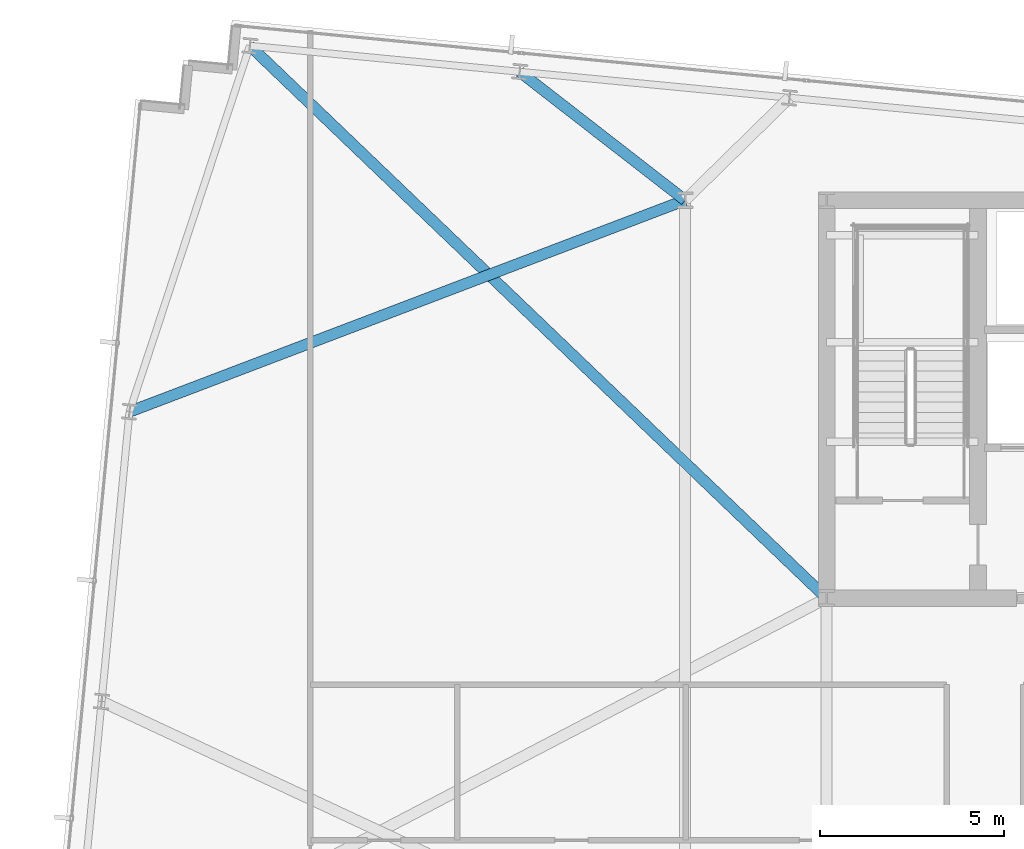
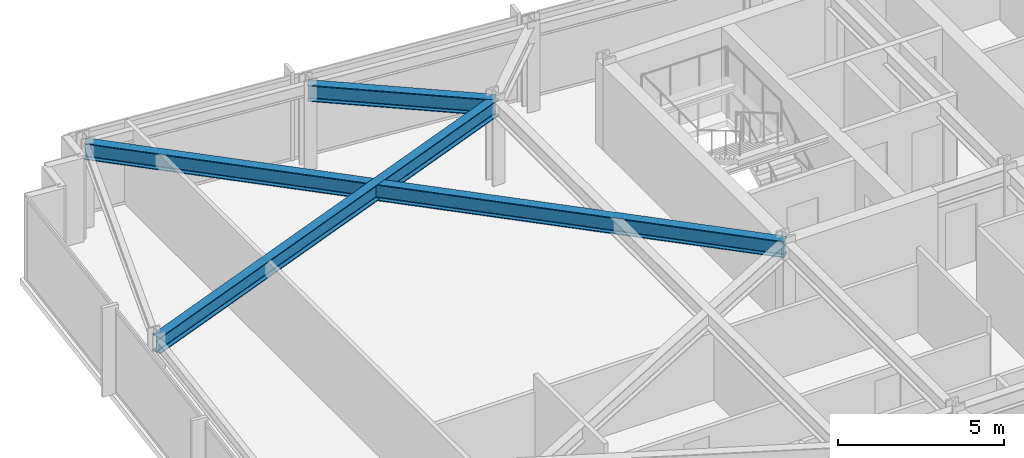
# One storey, part 22 of 37: 3 beams.
"""IFC4 building model written with IfcOpenShell, lengths in metres."""

import ifcopenshell
import ifcopenshell.guid

model = None  # the IFC model being written
_history = None  # IfcOwnerHistory: only IFC2X3 demands one
_inside = {}  # id of a spatial element -> (the spatial element, [elements in it])
_under = {}  # id of a project, library or spatial element -> (it, [spatial elements below it])
_declared = {}  # id of a project -> (the project, [libraries it declares])
_typed = {}  # id of a type object -> (the type object, [elements of that type])
_made_of = {}  # id of a material, layer set ... -> (it, [elements and type objects made of it])


def new_model(schema):
    """Start an empty IFC model of exactly this schema.

    Asked for "IFC4X3", IfcOpenShell would pick the latest addendum, in which some entities
    have other attributes; the version numbers below select the first issue.
    IFC2X3 requires an IfcOwnerHistory on every rooted entity: one is made here for all.
    """
    global model, _history
    if schema == "IFC4X3":
        model = ifcopenshell.file(schema_version=(4, 3, 0, 0))
    else:
        model = ifcopenshell.file(schema=schema)
    _inside.clear()
    _under.clear()
    _declared.clear()
    _typed.clear()
    _made_of.clear()
    _history = None
    if model.schema == "IFC2X3":
        org = make("IfcOrganization", Name="unknown")
        user = make(
            "IfcPersonAndOrganization",
            ThePerson=make("IfcPerson", FamilyName="unknown"),
            TheOrganization=org,
        )
        app = make(
            "IfcApplication",
            ApplicationDeveloper=org,
            Version="unknown",
            ApplicationFullName="unknown",
            ApplicationIdentifier="unknown",
        )
        _history = make(
            "IfcOwnerHistory",
            OwningUser=user,
            OwningApplication=app,
            ChangeAction="ADDED",
            CreationDate=0,
        )
    return model


def make(cls, **values):
    """One entity of the class cls with the attributes given. An attribute that is None is left unset."""
    return model.create_entity(
        cls, **{name: value for name, value in values.items() if value is not None}
    )


def rooted(cls, **values):
    """An entity with a GlobalId (a new one), such as an element, a storey or a relation."""
    return make(cls, GlobalId=ifcopenshell.guid.new(), OwnerHistory=_history, **values)


def si_unit(unit_type, name, prefix=None):
    """IfcSIUnit, for example si_unit("LENGTHUNIT", "METRE", prefix="MILLI")."""
    return make("IfcSIUnit", UnitType=unit_type, Prefix=prefix, Name=name)


def assignment(units):
    """IfcUnitAssignment: the units of a project."""
    return None if units is None else make("IfcUnitAssignment", Units=units)


def point(xyz):
    """IfcCartesianPoint."""
    return None if xyz is None else make("IfcCartesianPoint", Coordinates=xyz)


def direction(xyz):
    """IfcDirection."""
    return None if xyz is None else make("IfcDirection", DirectionRatios=xyz)


def frame(location, z_axis=None, x_axis=None):
    """IfcAxis2Placement3D, a coordinate frame: its origin and axes. An axis left out is left unset."""
    return make(
        "IfcAxis2Placement3D",
        Location=point(location),
        Axis=direction(z_axis),
        RefDirection=direction(x_axis),
    )


def frame_2d(location, x_axis=None):
    """IfcAxis2Placement2D, a coordinate frame in the plane: its origin and x axis."""
    return make(
        "IfcAxis2Placement2D", Location=point(location), RefDirection=direction(x_axis)
    )


def origin():
    """The frame at (0, 0, 0) with its axes left unset."""
    return frame((0.0, 0.0, 0.0))


def origin_2d():
    """The frame at (0, 0) in the plane with its x axis left unset."""
    return frame_2d((0.0, 0.0))


def place(relative_to, where):
    """IfcLocalPlacement: puts the frame where relative to a parent placement (None: the world)."""
    return make(
        "IfcLocalPlacement", PlacementRelTo=relative_to, RelativePlacement=where
    )


def context(
    kind, dimensions, precision=None, world=None, true_north=None, identifier=None
):
    """IfcGeometricRepresentationContext, for example the 3D "Model" context."""
    return make(
        "IfcGeometricRepresentationContext",
        ContextIdentifier=identifier,
        ContextType=kind,
        CoordinateSpaceDimension=dimensions,
        Precision=precision,
        WorldCoordinateSystem=world,
        TrueNorth=true_north,
    )


def subcontext(parent, identifier, kind, view, scale=None):
    """IfcGeometricRepresentationSubContext, for example "Body" below "Model"."""
    return make(
        "IfcGeometricRepresentationSubContext",
        ContextIdentifier=identifier,
        ContextType=kind,
        ParentContext=parent,
        TargetScale=scale,
        TargetView=view,
    )


def project(units=None, contexts=None):
    """IfcProject with its units and contexts."""
    return rooted(
        "IfcProject",
        Name="project",
        RepresentationContexts=contexts,
        UnitsInContext=assignment(units),
    )


def spatial(cls, under=None, at=None, **own):
    """A site, building, storey or space (cls), placed at a placement, below another one or the project."""
    s = rooted(cls, ObjectPlacement=at, **own)
    if under is not None:
        _under.setdefault(under.id(), (under, []))[1].append(s)
    return s


def profile(cls, at=None, kind="AREA", **sizes):
    """A parametric profile (cls). Its sizes go by their IFC names, for example OverallWidth=200.0."""
    return make(cls, ProfileType=kind, Position=at, **sizes)


def i_section(**sizes):
    """IfcIShapeProfileDef."""
    return profile("IfcIShapeProfileDef", **sizes)


def extrude(swept, where, along, depth):
    """IfcExtrudedAreaSolid: the profile swept, set in the frame where, extruded along a direction by depth."""
    return make(
        "IfcExtrudedAreaSolid",
        SweptArea=swept,
        Position=where,
        ExtrudedDirection=direction(along),
        Depth=depth,
    )


def shape(context_of_items, identifier, shape_type, items):
    """IfcShapeRepresentation: the items that make up one representation, for example the "Body"."""
    return make(
        "IfcShapeRepresentation",
        ContextOfItems=context_of_items,
        RepresentationIdentifier=identifier,
        RepresentationType=shape_type,
        Items=items,
    )


def material(Name=None, Category=None):
    """IfcMaterial."""
    return make("IfcMaterial", Name=Name, Category=Category)


def material_profile(
    of_material, cross_section, Name=None, Category=None, Priority=None
):
    """IfcMaterialProfile: a cross section and its material."""
    return make(
        "IfcMaterialProfile",
        Name=Name,
        Material=of_material,
        Profile=cross_section,
        Priority=Priority,
        Category=Category,
    )


def profile_set(profiles, Name=None, composite=None):
    """IfcMaterialProfileSet."""
    return make(
        "IfcMaterialProfileSet",
        Name=Name,
        MaterialProfiles=profiles,
        CompositeProfile=composite,
    )


def made_of(thing, what):
    """Note that an element or type object is made of a material, layer set ...; save() writes the relation."""
    if what is not None:
        _made_of.setdefault(what.id(), (what, []))[1].append(thing)
    return thing


def type_object(cls, material=None, **own):
    """A type object (cls), such as IfcWallType, which elements share."""
    return made_of(rooted(cls, **own), material)


def element(
    cls,
    number,
    at=None,
    inside=None,
    cuts=None,
    type_object=None,
    material=None,
    context=None,
    identifier="Body",
    shape_type=None,
    held_by="IfcProductDefinitionShape",
    body=None,
    shapes=None,
    **own,
):
    """One element of the class cls, such as IfcWall. Its Tag is "e" and its number.

    at: its placement. inside: the storey or other place that contains it. cuts: it is an
    opening in that element (IfcRelVoidsElement). A single representation is given by context,
    identifier, shape_type and body (its items); several are given by shapes. held_by: the class
    of the entity that holds the representations. save() writes the other relations.
    """
    e = rooted(cls, Tag="e%d" % number, ObjectPlacement=at, **own)
    if body is not None:
        shapes = [shape(context, identifier, shape_type, body)]
    if shapes is not None:
        e.Representation = make(held_by, Representations=shapes)
    if inside is not None:
        _inside.setdefault(inside.id(), (inside, []))[1].append(e)
    if cuts is not None:
        rooted(
            "IfcRelVoidsElement", RelatingBuildingElement=cuts, RelatedOpeningElement=e
        )
    if type_object is not None:
        _typed.setdefault(type_object.id(), (type_object, []))[1].append(e)
    return made_of(e, material)


def aggregate(whole, parts):
    """IfcRelAggregates: a whole, such as a stair, and the parts it consists of."""
    return rooted("IfcRelAggregates", RelatingObject=whole, RelatedObjects=parts)


def save(model, path):
    """Write the relations noted so far, then the file.

    IfcRelAggregates (storeys below a building ...), IfcRelContainedInSpatialStructure (elements
    in a storey), IfcRelDefinesByType, IfcRelAssociatesMaterial and IfcRelDeclares: one each for
    every whole, place, type object, material and project.
    """
    for whole, parts in _under.values():
        aggregate(whole, parts)
    for where, things in _inside.values():
        rooted(
            "IfcRelContainedInSpatialStructure",
            RelatedElements=things,
            RelatingStructure=where,
        )
    for kind, things in _typed.values():
        rooted("IfcRelDefinesByType", RelatedObjects=things, RelatingType=kind)
    for what, things in _made_of.values():
        rooted("IfcRelAssociatesMaterial", RelatedObjects=things, RelatingMaterial=what)
    for by, libraries in _declared.values():
        rooted("IfcRelDeclares", RelatingContext=by, RelatedDefinitions=libraries)
    model.write(path)


model = new_model("IFC4")

# Units and contexts
model_context = context("Model", 3, precision=1e-05, world=origin(), true_north=direction((0.0, 1.0)))
body_context = subcontext(model_context, "Body", "Model", "MODEL_VIEW")
ifc_project = project(units=[si_unit("LENGTHUNIT", "METRE"), si_unit("AREAUNIT", "SQUARE_METRE"), si_unit("VOLUMEUNIT", "CUBIC_METRE"), si_unit("PLANEANGLEUNIT", "RADIAN"), si_unit("MASSUNIT", "GRAM", prefix="KILO")], contexts=[model_context])

# Site, building, storey
site_placement = place(None, origin())
site = spatial("IfcSite", under=ifc_project, at=site_placement, CompositionType="ELEMENT")
building_placement = place(site_placement, origin())
building = spatial("IfcBuilding", under=site, at=building_placement, Name="Yelkora Congress Tower", CompositionType="ELEMENT")
storey_placement = place(building_placement, frame((0.0, 0.0, 175.39990234375)))
storey = spatial("IfcBuildingStorey", under=building, at=storey_placement, Name="L48", CompositionType="ELEMENT", Elevation=175.39990234375)

# Beams
ifc_material = material(Name="Steel S355J2", Category="steel")
ifc_material_profile = material_profile(ifc_material, i_section(OverallWidth=0.300048828125, OverallDepth=0.60009765625, WebThickness=0.015380859375, FlangeThickness=0.030029296875, FilletRadius=0.027099609375, at=origin_2d()), Name="HEB 600")
ifc_profile_set = profile_set([ifc_material_profile], Name="Steel S355J2")
beam_type = type_object("IfcBeamType", Name="BM-GIRD-HEB600", PredefinedType="BEAM", material=ifc_profile_set)
beam_1_placement = place(storey_placement, frame((7.388916015625, 50.390625, 2.780029296875), z_axis=(0.722178809531, -0.691706416816, 0.0), x_axis=(0.691706416816, 0.722178809531, 0.0)))
element("IfcBeam", 1, at=beam_1_placement, inside=storey, type_object=beam_type, Name="L48 Primary Frame Girder N01", PredefinedType="BEAM", context=body_context, shape_type="SweptSolid", body=[
    extrude(i_section(OverallWidth=0.300048828125, OverallDepth=0.60009765625, WebThickness=0.015380859375, FlangeThickness=0.030029296875, FilletRadius=0.027099609375, at=origin_2d()), origin(), (0.0, 0.0, 1.0), 21.672119140625),
])
beam_2_placement = place(storey_placement, frame((14.712158203125, 49.685546875, 2.780029296875), z_axis=(0.789770770989, -0.6134020943, 0.0), x_axis=(0.6134020943, 0.789770770989, 0.0)))
element("IfcBeam", 2, at=beam_2_placement, inside=storey, type_object=beam_type, Name="L48 Primary Frame Girder N02", PredefinedType="BEAM", context=body_context, shape_type="SweptSolid", body=[
    extrude(i_section(OverallWidth=0.300048828125, OverallDepth=0.60009765625, WebThickness=0.015380859375, FlangeThickness=0.030029296875, FilletRadius=0.027099609375, at=origin_2d()), origin(), (0.0, 0.0, 1.0), 5.682373046875),
])
beam_3_placement = place(storey_placement, frame((4.121826171875, 40.4580078125, 2.780029296875), z_axis=(0.934531115392, 0.355881433013, 0.0), x_axis=(-0.355881433013, 0.934531115392, 0.0)))
element("IfcBeam", 3, at=beam_3_placement, inside=storey, type_object=beam_type, Name="L48 Primary Frame Girder W03", PredefinedType="BEAM", context=body_context, shape_type="SweptSolid", body=[
    extrude(i_section(OverallWidth=0.300048828125, OverallDepth=0.60009765625, WebThickness=0.015380859375, FlangeThickness=0.030029296875, FilletRadius=0.027099609375, at=origin_2d()), origin(), (0.0, 0.0, 1.0), 16.134521484375),
])

save(model, "model.ifc")
